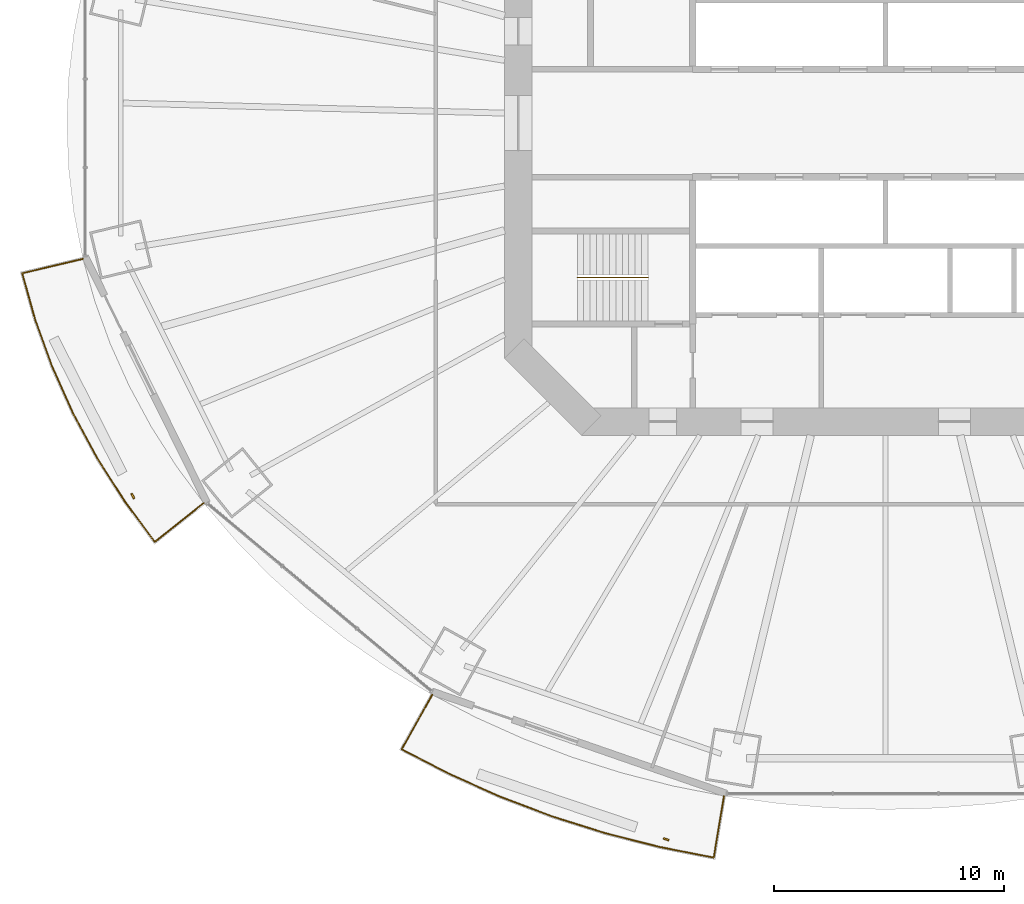
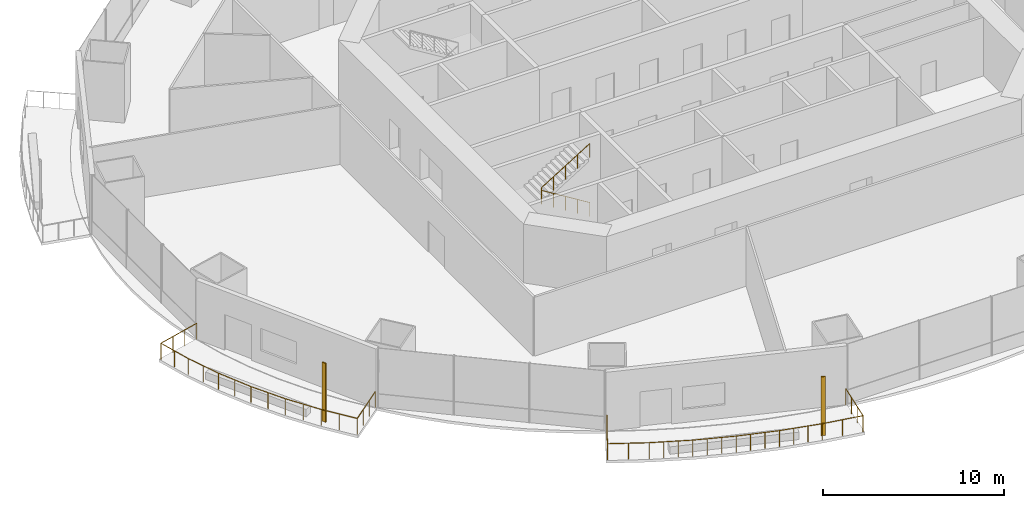
# One storey, part 17 of 22: 3 railings, 2 shading devices.
"""IFC4 building model written with IfcOpenShell, lengths in metres."""

import ifcopenshell
import ifcopenshell.guid

model = None  # the IFC model being written
_history = None  # IfcOwnerHistory: only IFC2X3 demands one
_inside = {}  # id of a spatial element -> (the spatial element, [elements in it])
_under = {}  # id of a project, library or spatial element -> (it, [spatial elements below it])
_declared = {}  # id of a project -> (the project, [libraries it declares])
_typed = {}  # id of a type object -> (the type object, [elements of that type])
_made_of = {}  # id of a material, layer set ... -> (it, [elements and type objects made of it])


def new_model(schema):
    """Start an empty IFC model of exactly this schema.

    Asked for "IFC4X3", IfcOpenShell would pick the latest addendum, in which some entities
    have other attributes; the version numbers below select the first issue.
    IFC2X3 requires an IfcOwnerHistory on every rooted entity: one is made here for all.
    """
    global model, _history
    if schema == "IFC4X3":
        model = ifcopenshell.file(schema_version=(4, 3, 0, 0))
    else:
        model = ifcopenshell.file(schema=schema)
    _inside.clear()
    _under.clear()
    _declared.clear()
    _typed.clear()
    _made_of.clear()
    _history = None
    if model.schema == "IFC2X3":
        org = make("IfcOrganization", Name="unknown")
        user = make(
            "IfcPersonAndOrganization",
            ThePerson=make("IfcPerson", FamilyName="unknown"),
            TheOrganization=org,
        )
        app = make(
            "IfcApplication",
            ApplicationDeveloper=org,
            Version="unknown",
            ApplicationFullName="unknown",
            ApplicationIdentifier="unknown",
        )
        _history = make(
            "IfcOwnerHistory",
            OwningUser=user,
            OwningApplication=app,
            ChangeAction="ADDED",
            CreationDate=0,
        )
    return model


def make(cls, **values):
    """One entity of the class cls with the attributes given. An attribute that is None is left unset."""
    return model.create_entity(
        cls, **{name: value for name, value in values.items() if value is not None}
    )


def rooted(cls, **values):
    """An entity with a GlobalId (a new one), such as an element, a storey or a relation."""
    return make(cls, GlobalId=ifcopenshell.guid.new(), OwnerHistory=_history, **values)


def si_unit(unit_type, name, prefix=None):
    """IfcSIUnit, for example si_unit("LENGTHUNIT", "METRE", prefix="MILLI")."""
    return make("IfcSIUnit", UnitType=unit_type, Prefix=prefix, Name=name)


def assignment(units):
    """IfcUnitAssignment: the units of a project."""
    return None if units is None else make("IfcUnitAssignment", Units=units)


def point(xyz):
    """IfcCartesianPoint."""
    return None if xyz is None else make("IfcCartesianPoint", Coordinates=xyz)


def direction(xyz):
    """IfcDirection."""
    return None if xyz is None else make("IfcDirection", DirectionRatios=xyz)


def frame(location, z_axis=None, x_axis=None):
    """IfcAxis2Placement3D, a coordinate frame: its origin and axes. An axis left out is left unset."""
    return make(
        "IfcAxis2Placement3D",
        Location=point(location),
        Axis=direction(z_axis),
        RefDirection=direction(x_axis),
    )


def frame_2d(location, x_axis=None):
    """IfcAxis2Placement2D, a coordinate frame in the plane: its origin and x axis."""
    return make(
        "IfcAxis2Placement2D", Location=point(location), RefDirection=direction(x_axis)
    )


def origin():
    """The frame at (0, 0, 0) with its axes left unset."""
    return frame((0.0, 0.0, 0.0))


def origin_2d():
    """The frame at (0, 0) in the plane with its x axis left unset."""
    return frame_2d((0.0, 0.0))


def place(relative_to, where):
    """IfcLocalPlacement: puts the frame where relative to a parent placement (None: the world)."""
    return make(
        "IfcLocalPlacement", PlacementRelTo=relative_to, RelativePlacement=where
    )


def context(
    kind, dimensions, precision=None, world=None, true_north=None, identifier=None
):
    """IfcGeometricRepresentationContext, for example the 3D "Model" context."""
    return make(
        "IfcGeometricRepresentationContext",
        ContextIdentifier=identifier,
        ContextType=kind,
        CoordinateSpaceDimension=dimensions,
        Precision=precision,
        WorldCoordinateSystem=world,
        TrueNorth=true_north,
    )


def subcontext(parent, identifier, kind, view, scale=None):
    """IfcGeometricRepresentationSubContext, for example "Body" below "Model"."""
    return make(
        "IfcGeometricRepresentationSubContext",
        ContextIdentifier=identifier,
        ContextType=kind,
        ParentContext=parent,
        TargetScale=scale,
        TargetView=view,
    )


def project(units=None, contexts=None):
    """IfcProject with its units and contexts."""
    return rooted(
        "IfcProject",
        Name="project",
        RepresentationContexts=contexts,
        UnitsInContext=assignment(units),
    )


def spatial(cls, under=None, at=None, **own):
    """A site, building, storey or space (cls), placed at a placement, below another one or the project."""
    s = rooted(cls, ObjectPlacement=at, **own)
    if under is not None:
        _under.setdefault(under.id(), (under, []))[1].append(s)
    return s


def profile(cls, at=None, kind="AREA", **sizes):
    """A parametric profile (cls). Its sizes go by their IFC names, for example OverallWidth=200.0."""
    return make(cls, ProfileType=kind, Position=at, **sizes)


def rectangle(**sizes):
    """IfcRectangleProfileDef."""
    return profile("IfcRectangleProfileDef", **sizes)


def circle(**sizes):
    """IfcCircleProfileDef."""
    return profile("IfcCircleProfileDef", **sizes)


def extrude(swept, where, along, depth):
    """IfcExtrudedAreaSolid: the profile swept, set in the frame where, extruded along a direction by depth."""
    return make(
        "IfcExtrudedAreaSolid",
        SweptArea=swept,
        Position=where,
        ExtrudedDirection=direction(along),
        Depth=depth,
    )


def shape(context_of_items, identifier, shape_type, items):
    """IfcShapeRepresentation: the items that make up one representation, for example the "Body"."""
    return make(
        "IfcShapeRepresentation",
        ContextOfItems=context_of_items,
        RepresentationIdentifier=identifier,
        RepresentationType=shape_type,
        Items=items,
    )


def material(Name=None, Category=None):
    """IfcMaterial."""
    return make("IfcMaterial", Name=Name, Category=Category)


def material_profile(
    of_material, cross_section, Name=None, Category=None, Priority=None
):
    """IfcMaterialProfile: a cross section and its material."""
    return make(
        "IfcMaterialProfile",
        Name=Name,
        Material=of_material,
        Profile=cross_section,
        Priority=Priority,
        Category=Category,
    )


def profile_set(profiles, Name=None, composite=None):
    """IfcMaterialProfileSet."""
    return make(
        "IfcMaterialProfileSet",
        Name=Name,
        MaterialProfiles=profiles,
        CompositeProfile=composite,
    )


def made_of(thing, what):
    """Note that an element or type object is made of a material, layer set ...; save() writes the relation."""
    if what is not None:
        _made_of.setdefault(what.id(), (what, []))[1].append(thing)
    return thing


def type_object(cls, material=None, **own):
    """A type object (cls), such as IfcWallType, which elements share."""
    return made_of(rooted(cls, **own), material)


def element(
    cls,
    number,
    at=None,
    inside=None,
    cuts=None,
    type_object=None,
    material=None,
    context=None,
    identifier="Body",
    shape_type=None,
    held_by="IfcProductDefinitionShape",
    body=None,
    shapes=None,
    **own,
):
    """One element of the class cls, such as IfcWall. Its Tag is "e" and its number.

    at: its placement. inside: the storey or other place that contains it. cuts: it is an
    opening in that element (IfcRelVoidsElement). A single representation is given by context,
    identifier, shape_type and body (its items); several are given by shapes. held_by: the class
    of the entity that holds the representations. save() writes the other relations.
    """
    e = rooted(cls, Tag="e%d" % number, ObjectPlacement=at, **own)
    if body is not None:
        shapes = [shape(context, identifier, shape_type, body)]
    if shapes is not None:
        e.Representation = make(held_by, Representations=shapes)
    if inside is not None:
        _inside.setdefault(inside.id(), (inside, []))[1].append(e)
    if cuts is not None:
        rooted(
            "IfcRelVoidsElement", RelatingBuildingElement=cuts, RelatedOpeningElement=e
        )
    if type_object is not None:
        _typed.setdefault(type_object.id(), (type_object, []))[1].append(e)
    return made_of(e, material)


def aggregate(whole, parts):
    """IfcRelAggregates: a whole, such as a stair, and the parts it consists of."""
    return rooted("IfcRelAggregates", RelatingObject=whole, RelatedObjects=parts)


def save(model, path):
    """Write the relations noted so far, then the file.

    IfcRelAggregates (storeys below a building ...), IfcRelContainedInSpatialStructure (elements
    in a storey), IfcRelDefinesByType, IfcRelAssociatesMaterial and IfcRelDeclares: one each for
    every whole, place, type object, material and project.
    """
    for whole, parts in _under.values():
        aggregate(whole, parts)
    for where, things in _inside.values():
        rooted(
            "IfcRelContainedInSpatialStructure",
            RelatedElements=things,
            RelatingStructure=where,
        )
    for kind, things in _typed.values():
        rooted("IfcRelDefinesByType", RelatedObjects=things, RelatingType=kind)
    for what, things in _made_of.values():
        rooted("IfcRelAssociatesMaterial", RelatedObjects=things, RelatingMaterial=what)
    for by, libraries in _declared.values():
        rooted("IfcRelDeclares", RelatingContext=by, RelatedDefinitions=libraries)
    model.write(path)


model = new_model("IFC4")

# Units and contexts
model_context = context("Model", 3, precision=1e-05, world=origin(), true_north=direction((0.0, 1.0)))
body_context = subcontext(model_context, "Body", "Model", "MODEL_VIEW")
ifc_project = project(units=[si_unit("LENGTHUNIT", "METRE"), si_unit("AREAUNIT", "SQUARE_METRE"), si_unit("VOLUMEUNIT", "CUBIC_METRE"), si_unit("PLANEANGLEUNIT", "RADIAN"), si_unit("MASSUNIT", "GRAM", prefix="KILO")], contexts=[model_context])

# Site, building, storey
site_placement = place(None, origin())
site = spatial("IfcSite", under=ifc_project, at=site_placement, CompositionType="ELEMENT")
building_placement = place(site_placement, origin())
building = spatial("IfcBuilding", under=site, at=building_placement, Name="Marenthal Gate Tower", CompositionType="ELEMENT")
storey_placement = place(building_placement, frame((0.0, 0.0, 70.35009765625)))
storey = spatial("IfcBuildingStorey", under=building, at=storey_placement, Name="L13", CompositionType="ELEMENT", Elevation=70.35009765625)

# Railings
ifc_material_1 = material(Name="Stainless steel", Category="steel")
railing_type_1 = type_object("IfcRailingType", Name="Balcony guard 1100", PredefinedType="GUARDRAIL", material=ifc_material_1)
railing_1_placement = place(storey_placement, frame((-29.7109375, -16.55126953125, 0.0)))
element("IfcRailing", 1, at=railing_1_placement, inside=storey, type_object=railing_type_1, Name="Balcony guard L13 bay 9", PredefinedType="GUARDRAIL", context=body_context, shape_type="SweptSolid", body=[
    extrude(circle(Radius=0.02392578125, at=origin_2d()), frame((0.0, 0.0, 1.076171875), z_axis=(-0.782139521654, -0.622929480184, -0.014718402932), x_axis=(0.622996964186, -0.782224253405, 0.0)), (0.0, 0.0, 1.0), 2.720458984375),
    extrude(circle(Radius=0.02392578125, at=origin_2d()), frame((-2.127685546875, -1.694580078125, 1.0361328125), z_axis=(-0.594680833833, 0.803961880857, 0.0), x_axis=(-0.803961880857, -0.594680833833, 0.0)), (0.0, 0.0, 1.0), 2.17919921875),
    extrude(circle(Radius=0.02392578125, at=origin_2d()), frame((-3.423583984375, 0.057373046875, 1.0361328125), z_axis=(-0.53758735843, 0.843208059767, 0.0), x_axis=(-0.843208059767, -0.53758735843, 0.0)), (0.0, 0.0, 1.0), 2.24072265625),
    extrude(circle(Radius=0.02392578125, at=origin_2d()), frame((-4.628173828125, 1.94677734375, 1.0361328125), z_axis=(-0.475441262736, 0.879747466997, 0.0), x_axis=(-0.879747466997, -0.475441262736, 0.0)), (0.0, 0.0, 1.0), 2.223876953125),
    extrude(circle(Radius=0.02392578125, at=origin_2d()), frame((-5.685546875, 3.9033203125, 1.0361328125), z_axis=(-0.409519083019, 0.912301551376, 0.0), x_axis=(-0.912301551376, -0.409519083019, 0.0)), (0.0, 0.0, 1.0), 2.20947265625),
    extrude(circle(Radius=0.02392578125, at=origin_2d()), frame((-6.59033203125, 5.9189453125, 1.0361328125), z_axis=(-0.340269936614, 0.940327799353, 0.0), x_axis=(-0.940327799353, -0.340269936614, 0.0)), (0.0, 0.0, 1.0), 2.1962890625),
    extrude(circle(Radius=0.02392578125, at=origin_2d()), frame((-7.337646484375, 7.984130859375, 1.0361328125), z_axis=(-0.26934176956, 0.963044656893, 0.0), x_axis=(-0.963044656893, -0.26934176956, 0.0)), (0.0, 0.0, 1.0), 2.105712890625),
    extrude(circle(Radius=0.02392578125, at=origin_2d()), frame((-7.90478515625, 10.011962890625, 1.0361328125), z_axis=(0.972921871805, 0.230665056323, 0.014719482193), x_axis=(-0.230690048693, 0.973027287096, 0.0)), (0.0, 0.0, 1.0), 2.72021484375),
    extrude(circle(Radius=0.02099609375, at=origin_2d()), origin(), (0.0, 0.0, 1.0), 1.052001953125),
    extrude(circle(Radius=0.02099609375, at=origin_2d()), frame((-0.709228515625, -0.56494140625, -0.013427734375)), (0.0, 0.0, 1.0), 1.052001953125),
    extrude(circle(Radius=0.02099609375, at=origin_2d()), frame((-1.41845703125, -1.129638671875, -0.026611328125)), (0.0, 0.0, 1.0), 1.052001953125),
    extrude(circle(Radius=0.02099609375, at=origin_2d()), frame((-2.127685546875, -1.694580078125, -0.0400390625)), (0.0, 0.0, 1.0), 1.052001953125),
    extrude(circle(Radius=0.02099609375, at=origin_2d()), frame((-2.775634765625, -0.818603515625, -0.0400390625)), (0.0, 0.0, 1.0), 1.052001953125),
    extrude(circle(Radius=0.02099609375, at=origin_2d()), frame((-3.423583984375, 0.057373046875, -0.0400390625)), (0.0, 0.0, 1.0), 1.052001953125),
    extrude(circle(Radius=0.02099609375, at=origin_2d()), frame((-4.02587890625, 1.001953125, -0.0400390625)), (0.0, 0.0, 1.0), 1.052001953125),
    extrude(circle(Radius=0.02099609375, at=origin_2d()), frame((-4.628173828125, 1.94677734375, -0.0400390625)), (0.0, 0.0, 1.0), 1.052001953125),
    extrude(circle(Radius=0.02099609375, at=origin_2d()), frame((-5.15673828125, 2.925048828125, -0.0400390625)), (0.0, 0.0, 1.0), 1.052001953125),
    extrude(circle(Radius=0.02099609375, at=origin_2d()), frame((-5.685546875, 3.9033203125, -0.0400390625)), (0.0, 0.0, 1.0), 1.052001953125),
    extrude(circle(Radius=0.02099609375, at=origin_2d()), frame((-6.137939453125, 4.9111328125, -0.0400390625)), (0.0, 0.0, 1.0), 1.052001953125),
    extrude(circle(Radius=0.02099609375, at=origin_2d()), frame((-6.59033203125, 5.9189453125, -0.0400390625)), (0.0, 0.0, 1.0), 1.052001953125),
    extrude(circle(Radius=0.02099609375, at=origin_2d()), frame((-6.9638671875, 6.95166015625, -0.0400390625)), (0.0, 0.0, 1.0), 1.052001953125),
    extrude(circle(Radius=0.02099609375, at=origin_2d()), frame((-7.337646484375, 7.984130859375, -0.0400390625)), (0.0, 0.0, 1.0), 1.052001953125),
    extrude(circle(Radius=0.02099609375, at=origin_2d()), frame((-7.62109375, 8.998046875, -0.0400390625)), (0.0, 0.0, 1.0), 1.052001953125),
    extrude(circle(Radius=0.02099609375, at=origin_2d()), frame((-7.90478515625, 10.011962890625, -0.0400390625)), (0.0, 0.0, 1.0), 1.052001953125),
    extrude(circle(Radius=0.02099609375, at=origin_2d()), frame((-7.022705078125, 10.22119140625, -0.026611328125)), (0.0, 0.0, 1.0), 1.052001953125),
    extrude(circle(Radius=0.02099609375, at=origin_2d()), frame((-6.140380859375, 10.43017578125, -0.013427734375)), (0.0, 0.0, 1.0), 1.052001953125),
    extrude(circle(Radius=0.02099609375, at=origin_2d()), frame((-5.25830078125, 10.639404296875, 0.0)), (0.0, 0.0, 1.0), 1.052001953125),
])
railing_2_placement = place(storey_placement, frame((-7.038330078125, -29.316162109375, 0.0)))
element("IfcRailing", 2, at=railing_2_placement, inside=storey, type_object=railing_type_1, Name="Balcony guard L13 bay 11", PredefinedType="GUARDRAIL", context=body_context, shape_type="SweptSolid", body=[
    extrude(circle(Radius=0.02392578125, at=origin_2d()), frame((0.0, 0.0, 1.076171875), z_axis=(-0.164599482451, -0.986250661205, -0.014718819587), x_axis=(0.986357511038, -0.164617315064, 0.0)), (0.0, 0.0, 1.0), 2.72021484375),
    extrude(circle(Radius=0.02392578125, at=origin_2d()), frame((-0.44775390625, -2.682861328125, 1.0361328125), z_axis=(-0.981255035118, 0.192713663388, 0.0), x_axis=(-0.192713663388, -0.981255035118, 0.0)), (0.0, 0.0, 1.0), 2.387939453125),
    extrude(circle(Radius=0.02392578125, at=origin_2d()), frame((-2.791015625, -2.22265625, 1.0361328125), z_axis=(-0.969164913017, 0.246413009756, 0.0), x_axis=(-0.246413009756, -0.969164913017, 0.0)), (0.0, 0.0, 1.0), 2.4580078125),
    extrude(circle(Radius=0.02392578125, at=origin_2d()), frame((-5.17333984375, -1.616943359375, 1.0361328125), z_axis=(-0.953650519342, 0.300916411912, 0.0), x_axis=(-0.300916411912, -0.953650519342, 0.0)), (0.0, 0.0, 1.0), 2.446044921875),
    extrude(circle(Radius=0.02392578125, at=origin_2d()), frame((-7.506103515625, -0.880859375, 1.0361328125), z_axis=(-0.934822913626, 0.355114235366, 0.0), x_axis=(-0.355114235366, -0.934822913626, 0.0)), (0.0, 0.0, 1.0), 2.431640625),
    extrude(circle(Radius=0.02392578125, at=origin_2d()), frame((-9.779296875, -0.017333984375, 1.0361328125), z_axis=(-0.91254444095, 0.408977558419, 0.0), x_axis=(-0.408977558419, -0.91254444095, 0.0)), (0.0, 0.0, 1.0), 2.415771484375),
    extrude(circle(Radius=0.02392578125, at=origin_2d()), frame((-11.98388671875, 0.970703125, 1.0361328125), z_axis=(-0.887259903965, 0.461269837314, 0.0), x_axis=(-0.461269837314, -0.887259903965, 0.0)), (0.0, 0.0, 1.0), 2.318359375),
    extrude(circle(Radius=0.02392578125, at=origin_2d()), frame((-14.040771484375, 2.0400390625, 1.0361328125), z_axis=(0.488916588254, 0.872206373208, 0.014717753391), x_axis=(-0.872300853857, 0.488969549523, 0.0)), (0.0, 0.0, 1.0), 2.720458984375),
    extrude(circle(Radius=0.02099609375, at=origin_2d()), origin(), (0.0, 0.0, 1.0), 1.052001953125),
    extrude(circle(Radius=0.02099609375, at=origin_2d()), frame((-0.149169921875, -0.894287109375, -0.013427734375)), (0.0, 0.0, 1.0), 1.052001953125),
    extrude(circle(Radius=0.02099609375, at=origin_2d()), frame((-0.298583984375, -1.78857421875, -0.026611328125)), (0.0, 0.0, 1.0), 1.052001953125),
    extrude(circle(Radius=0.02099609375, at=origin_2d()), frame((-0.44775390625, -2.682861328125, -0.0400390625)), (0.0, 0.0, 1.0), 1.052001953125),
    extrude(circle(Radius=0.02099609375, at=origin_2d()), frame((-1.619384765625, -2.45263671875, -0.0400390625)), (0.0, 0.0, 1.0), 1.052001953125),
    extrude(circle(Radius=0.02099609375, at=origin_2d()), frame((-2.791015625, -2.22265625, -0.0400390625)), (0.0, 0.0, 1.0), 1.052001953125),
    extrude(circle(Radius=0.02099609375, at=origin_2d()), frame((-3.585205078125, -2.020751953125, -0.0400390625)), (0.0, 0.0, 1.0), 1.052001953125),
    extrude(circle(Radius=0.02099609375, at=origin_2d()), frame((-4.379150390625, -1.81884765625, -0.0400390625)), (0.0, 0.0, 1.0), 1.052001953125),
    extrude(circle(Radius=0.02099609375, at=origin_2d()), frame((-5.17333984375, -1.616943359375, -0.0400390625)), (0.0, 0.0, 1.0), 1.052001953125),
    extrude(circle(Radius=0.02099609375, at=origin_2d()), frame((-5.950927734375, -1.37158203125, -0.0400390625)), (0.0, 0.0, 1.0), 1.052001953125),
    extrude(circle(Radius=0.02099609375, at=origin_2d()), frame((-6.728515625, -1.126220703125, -0.0400390625)), (0.0, 0.0, 1.0), 1.052001953125),
    extrude(circle(Radius=0.02099609375, at=origin_2d()), frame((-7.506103515625, -0.880859375, -0.0400390625)), (0.0, 0.0, 1.0), 1.052001953125),
    extrude(circle(Radius=0.02099609375, at=origin_2d()), frame((-8.263916015625, -0.593017578125, -0.0400390625)), (0.0, 0.0, 1.0), 1.052001953125),
    extrude(circle(Radius=0.02099609375, at=origin_2d()), frame((-9.021484375, -0.30517578125, -0.0400390625)), (0.0, 0.0, 1.0), 1.052001953125),
    extrude(circle(Radius=0.02099609375, at=origin_2d()), frame((-9.779296875, -0.017333984375, -0.0400390625)), (0.0, 0.0, 1.0), 1.052001953125),
    extrude(circle(Radius=0.02099609375, at=origin_2d()), frame((-10.51416015625, 0.31201171875, -0.0400390625)), (0.0, 0.0, 1.0), 1.052001953125),
    extrude(circle(Radius=0.02099609375, at=origin_2d()), frame((-11.2490234375, 0.641357421875, -0.0400390625)), (0.0, 0.0, 1.0), 1.052001953125),
    extrude(circle(Radius=0.02099609375, at=origin_2d()), frame((-11.98388671875, 0.970703125, -0.0400390625)), (0.0, 0.0, 1.0), 1.052001953125),
    extrude(circle(Radius=0.02099609375, at=origin_2d()), frame((-13.01220703125, 1.50537109375, -0.0400390625)), (0.0, 0.0, 1.0), 1.052001953125),
    extrude(circle(Radius=0.02099609375, at=origin_2d()), frame((-14.040771484375, 2.0400390625, -0.0400390625)), (0.0, 0.0, 1.0), 1.052001953125),
    extrude(circle(Radius=0.02099609375, at=origin_2d()), frame((-13.597412109375, 2.8310546875, -0.026611328125)), (0.0, 0.0, 1.0), 1.052001953125),
    extrude(circle(Radius=0.02099609375, at=origin_2d()), frame((-13.154052734375, 3.621826171875, -0.013427734375)), (0.0, 0.0, 1.0), 1.052001953125),
    extrude(circle(Radius=0.02099609375, at=origin_2d()), frame((-12.710693359375, 4.412841796875, 0.0)), (0.0, 0.0, 1.0), 1.052001953125),
])
ifc_material_2 = material(Name="Stainless steel", Category="steel")
railing_type_2 = type_object("IfcRailingType", Name="Stair handrail", PredefinedType="HANDRAIL", material=ifc_material_2)
railing_3_placement = place(storey_placement, frame((-10.35009765625, -6.72509765625, 0.1728515625)))
element("IfcRailing", 3, at=railing_3_placement, inside=storey, type_object=railing_type_2, Name="Handrail ST2", PredefinedType="HANDRAIL", context=body_context, shape_type="SweptSolid", body=[
    extrude(circle(Radius=0.0224609375, at=origin_2d()), frame((0.0, 0.0, 0.927490234375), z_axis=(-0.850816621229, 0.0, 0.525462726595), x_axis=(0.0, -1.0, 0.0)), (0.0, 0.0, 1.0), 3.619873046875),
    extrude(circle(Radius=0.0224609375, at=origin_2d()), frame((-3.079833984375, 0.0, 2.82958984375), z_axis=(0.0, 0.0, 1.0), x_axis=(1.0, 0.0, 0.0)), (0.0, 0.0, 1.0), 0.1728515625),
    extrude(circle(Radius=0.0224609375, at=origin_2d()), frame((-3.079833984375, 0.0, 3.00244140625), z_axis=(0.850816621229, 0.0, 0.525462726595), x_axis=(0.0, 1.0, 0.0)), (0.0, 0.0, 1.0), 3.619873046875),
    extrude(circle(Radius=0.02001953125, at=origin_2d()), origin(), (0.0, 0.0, 1.0), 0.905029296875),
    extrude(circle(Radius=0.02001953125, at=origin_2d()), frame((-0.77001953125, 0.0, 0.4755859375)), (0.0, 0.0, 1.0), 0.905029296875),
    extrude(circle(Radius=0.02001953125, at=origin_2d()), frame((-1.5400390625, 0.0, 0.951171875)), (0.0, 0.0, 1.0), 0.905029296875),
    extrude(circle(Radius=0.02001953125, at=origin_2d()), frame((-2.309814453125, 0.0, 1.426513671875)), (0.0, 0.0, 1.0), 0.905029296875),
    extrude(circle(Radius=0.02001953125, at=origin_2d()), frame((-3.079833984375, 0.0, 1.902099609375)), (0.0, 0.0, 1.0), 0.905029296875),
    extrude(circle(Radius=0.02001953125, at=origin_2d()), frame((-3.079833984375, 0.0, 2.074951171875)), (0.0, 0.0, 1.0), 0.905029296875),
    extrude(circle(Radius=0.02001953125, at=origin_2d()), frame((-2.309814453125, 0.0, 2.550537109375)), (0.0, 0.0, 1.0), 0.905029296875),
    extrude(circle(Radius=0.02001953125, at=origin_2d()), frame((-1.5400390625, 0.0, 3.02587890625)), (0.0, 0.0, 1.0), 0.905029296875),
    extrude(circle(Radius=0.02001953125, at=origin_2d()), frame((-0.77001953125, 0.0, 3.50146484375)), (0.0, 0.0, 1.0), 0.905029296875),
    extrude(circle(Radius=0.02001953125, at=origin_2d()), frame((0.0, 0.0, 3.97705078125)), (0.0, 0.0, 1.0), 0.905029296875),
])

# Shading devices
ifc_material_3 = material(Name="Terracotta", Category="masonry")
ifc_material_profile = material_profile(ifc_material_3, rectangle(XDim=0.25, YDim=0.080078125, at=origin_2d()), Name="Terracotta baguette 250x80")
ifc_profile_set = profile_set([ifc_material_profile], Name="Terracotta")
shading_device_type = type_object("IfcShadingDeviceType", Name="Terracotta BAGUETTE SCREEN 250x80", PredefinedType="USERDEFINED", material=ifc_profile_set)
for number, where, z_axis, x_axis, name in (
    (4, (-32.795166015625, -16.2470703125, -0.0400390625), (0.0, 0.0, 1.0), (0.44293870584, -0.896551896361, 0.0), "Terracotta BAGUETTE L13 bay 9R"),
    (5, (-9.5615234375, -31.202392578125, -0.0400390625), (0.0, 0.0, 1.0), (0.944656596613, -0.328060839595, 0.0), "Terracotta BAGUETTE L13 bay 11R"),
):
    element("IfcShadingDevice", number, at=place(storey_placement, frame(where, z_axis=z_axis, x_axis=x_axis)), inside=storey, type_object=shading_device_type, Name=name, ObjectType="BAGUETTE SCREEN", PredefinedType="USERDEFINED", context=body_context, shape_type="SweptSolid", body=[
        extrude(rectangle(XDim=0.25, YDim=0.080078125, at=origin_2d()), origin(), (0.0, 0.0, 1.0), 3.969970703125),
    ])

save(model, "model.ifc")
